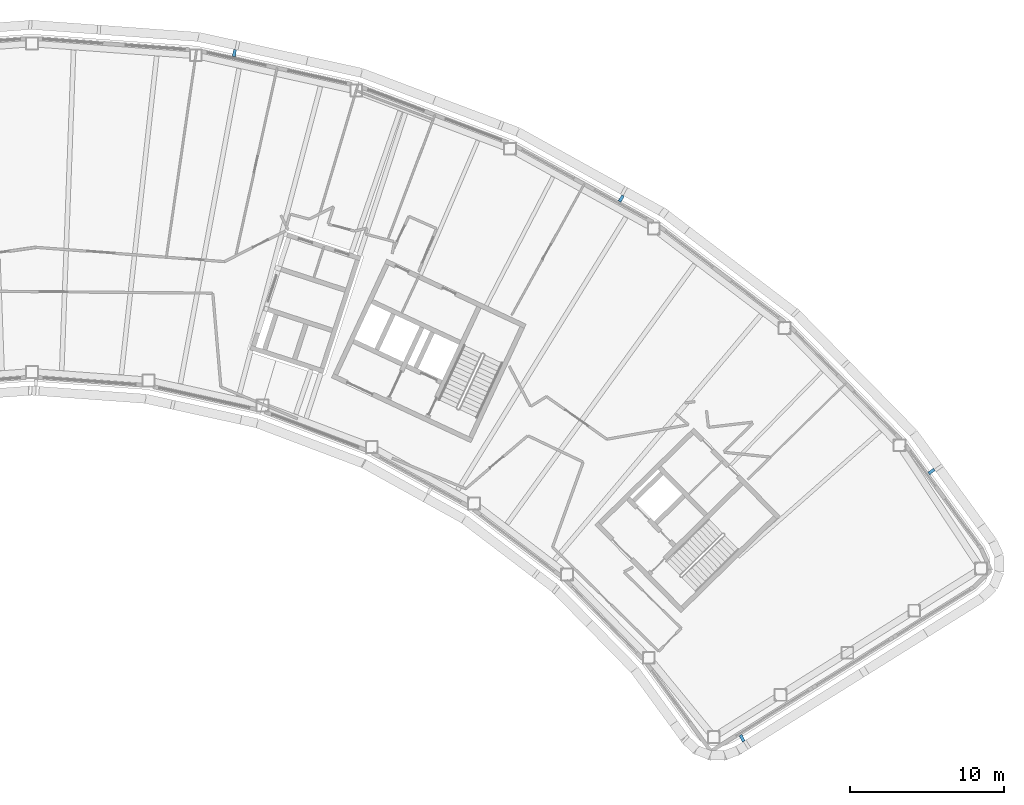
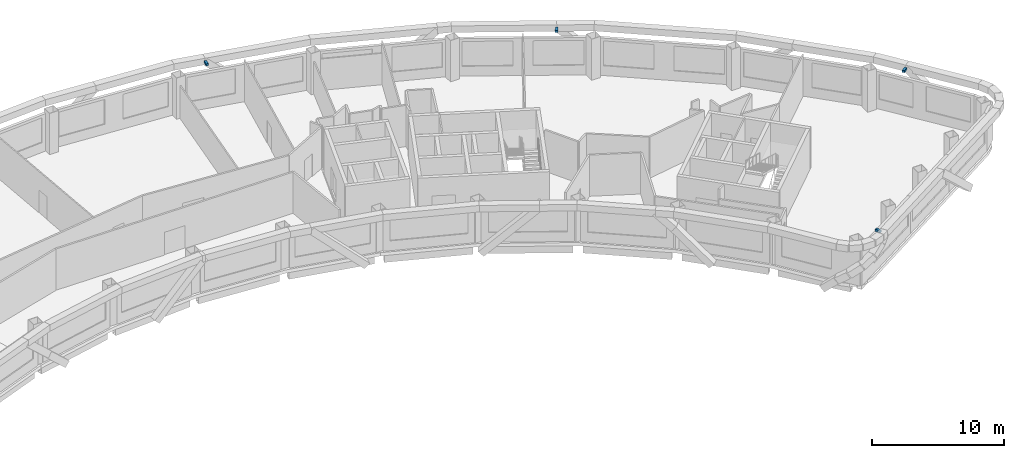
# One storey, part 14 of 18: 4 discrete accessories.
"""IFC4 building model written with IfcOpenShell, lengths in metres."""

from ifc_helpers import new_model, si_unit, direction, frame, origin, origin_2d, place, context, subcontext, project, spatial, rectangle, extrude, material, type_object, element, save


model = new_model("IFC4")

# Units and contexts
model_context = context("Model", 3, precision=1e-05, world=origin(), true_north=direction((0.0, 1.0)))
body_context = subcontext(model_context, "Body", "Model", "MODEL_VIEW")
ifc_project = project(units=[si_unit("LENGTHUNIT", "METRE"), si_unit("AREAUNIT", "SQUARE_METRE"), si_unit("VOLUMEUNIT", "CUBIC_METRE"), si_unit("PLANEANGLEUNIT", "RADIAN"), si_unit("MASSUNIT", "GRAM", prefix="KILO")], contexts=[model_context])

# Site, building, storey
site_placement = place(None, origin())
site = spatial("IfcSite", under=ifc_project, at=site_placement, CompositionType="ELEMENT")
building_placement = place(site_placement, origin())
building = spatial("IfcBuilding", under=site, at=building_placement, Name="Tuul Gate Civic Tower", CompositionType="ELEMENT")
storey_placement = place(building_placement, frame((0.0, 0.0, 234.699951171875)))
storey = spatial("IfcBuildingStorey", under=building, at=storey_placement, Name="Level 53", CompositionType="ELEMENT", Elevation=234.699951171875)

# Discrete accessories
ifc_material = material(Name="Stainless steel", Category="steel")
discrete_accessory_type = type_object("IfcDiscreteAccessoryType", Name="Screen bracket", PredefinedType="BRACKET", material=ifc_material)
for number, where, z_axis, x_axis, name in (
    (1, (64.39208984375, -9.254638671875, 3.75), (0.0, 0.0, 1.0), (0.796533083687, 0.604594944233, 0.0), "Screen bracket 2"),
    (2, (44.239013671875, 8.48095703125, 3.75), (0.0, 0.0, 1.0), (0.514593682103, 0.857434162102, 0.0), "Screen bracket 5"),
    (3, (19.099609375, 17.931396484375, 3.75), (0.0, 0.0, 1.0), (0.176818483308, 0.984243477987, 0.0), "Screen bracket 8"),
):
    element("IfcDiscreteAccessory", number, at=place(storey_placement, frame(where, z_axis=z_axis, x_axis=x_axis)), inside=storey, type_object=discrete_accessory_type, Name=name, PredefinedType="BRACKET", context=body_context, shape_type="SweptSolid", body=[
        extrude(rectangle(XDim=0.4501953125, YDim=0.199951171875, at=origin_2d()), origin(), (0.0, 0.0, 1.0), 0.199951171875),
    ])
discrete_accessory_placement = place(storey_placement, frame((52.084716796875, -26.586181640625, 3.75), z_axis=(0.0, 0.0, 1.0), x_axis=(0.453848979937, -0.891078617974, 0.0)))
element("IfcDiscreteAccessory", 4, at=discrete_accessory_placement, inside=storey, type_object=discrete_accessory_type, Name="Screen bracket 32", PredefinedType="BRACKET", context=body_context, shape_type="SweptSolid", body=[
    extrude(rectangle(XDim=0.45166015625, YDim=0.199951171875, at=origin_2d()), origin(), (0.0, 0.0, 1.0), 0.199951171875),
])

save(model, "model.ifc")
